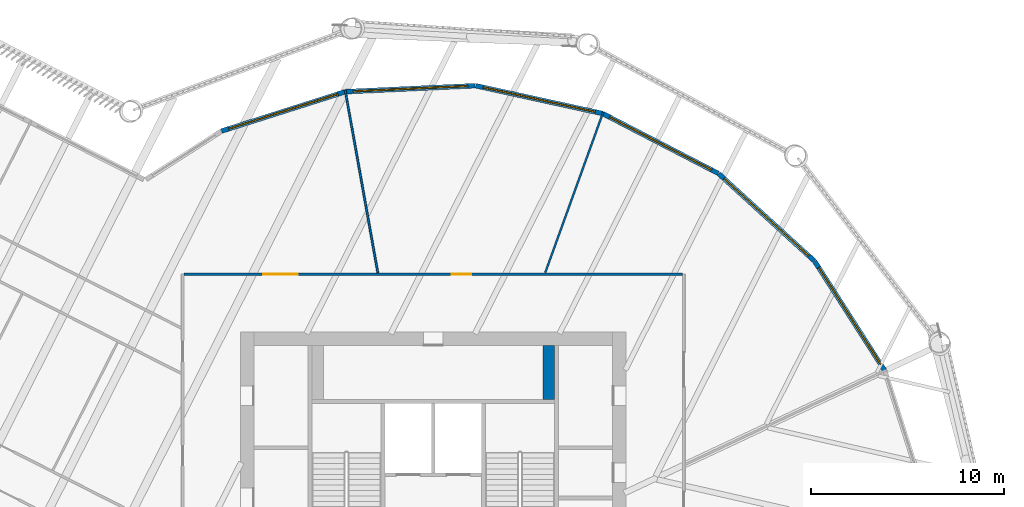
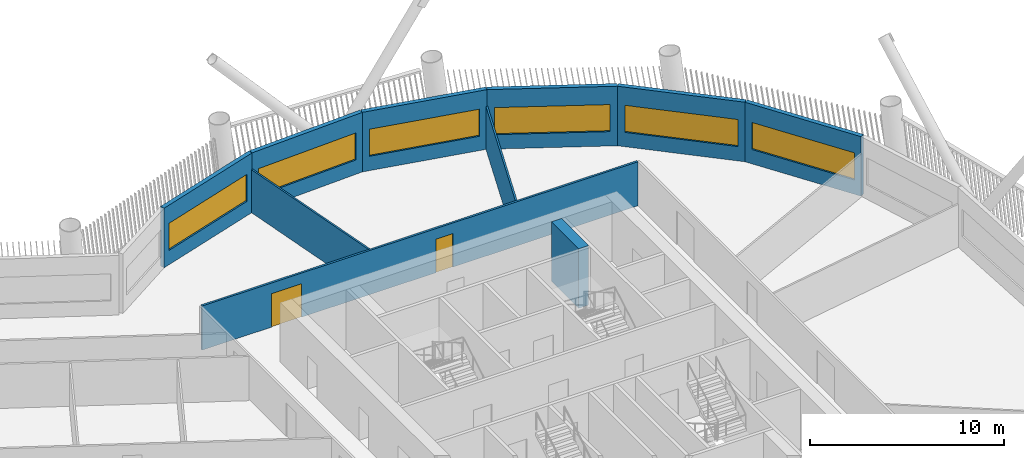
# One storey, part 7 of 21: 10 walls, 6 windows, 2 doors, 8 openings.
"""IFC4 building model written with IfcOpenShell, lengths in metres."""

from ifc_helpers import new_model, si_unit, direction, frame, frame_2d, origin, place, context, subcontext, project, spatial, rectangle, extrude, material, layer, layer_set, type_object, element, fill, save


model = new_model("IFC4")

# Units and contexts
model_context = context("Model", 3, precision=1e-05, world=origin(), true_north=direction((0.0, 1.0)))
body_context = subcontext(model_context, "Body", "Model", "MODEL_VIEW")
ifc_project = project(units=[si_unit("LENGTHUNIT", "METRE"), si_unit("AREAUNIT", "SQUARE_METRE"), si_unit("VOLUMEUNIT", "CUBIC_METRE"), si_unit("PLANEANGLEUNIT", "RADIAN"), si_unit("MASSUNIT", "GRAM", prefix="KILO")], contexts=[model_context])

# Site, building, storey
site_placement = place(None, origin())
site = spatial("IfcSite", under=ifc_project, at=site_placement, CompositionType="ELEMENT")
building_placement = place(site_placement, origin())
building = spatial("IfcBuilding", under=site, at=building_placement, Name="Tarsis Ring Headquarters", CompositionType="ELEMENT")
storey_placement = place(building_placement, frame((0.0, 0.0, 171.0)))
storey = spatial("IfcBuildingStorey", under=building, at=storey_placement, Name="L39", CompositionType="ELEMENT", Elevation=171.0)

# Walls
ifc_material_1 = material(Name="Gypsum board on steel studs", Category="steel")
ifc_layer_1 = layer(ifc_material_1, 0.10009765625)
ifc_layer_set_1 = layer_set([ifc_layer_1], Name="FL partition 100 unrated")
wall_type_1 = type_object("IfcWallType", Name="FL partition 100 unrated", PredefinedType="PARTITIONING", material=ifc_layer_set_1)
wall_1_placement = place(storey_placement, frame((-4.568115234375, 25.54248046875, 0.0), z_axis=(0.0, 0.0, 1.0), x_axis=(0.176054033102, -0.984380504393, 0.0)))
element("IfcWall", 1, at=wall_1_placement, inside=storey, type_object=wall_type_1, Name="Partition PW3", PredefinedType="PARTITIONING", context=body_context, shape_type="SweptSolid", body=[
    extrude(rectangle(XDim=9.6240234375, YDim=0.10009765625, at=frame_2d((4.81201171875, 0.0))), origin(), (0.0, 0.0, 1.0), 2.699951171875),
])
wall_2_placement = place(storey_placement, frame((5.806396484375, 16.0751953125, 0.0), z_axis=(0.0, 0.0, 1.0), x_axis=(0.33974133383, 0.9405189132, 0.0)))
element("IfcWall", 2, at=wall_2_placement, inside=storey, type_object=wall_type_1, Name="Partition PW3", PredefinedType="PARTITIONING", context=body_context, shape_type="SweptSolid", body=[
    extrude(rectangle(XDim=8.856201171875, YDim=0.10009765625, at=frame_2d((4.42822265625, 0.0))), origin(), (0.0, 0.0, 1.0), 2.699951171875),
])

# Wall, openings, doors
ifc_layer_2 = layer(ifc_material_1, 0.125)
ifc_layer_set_2 = layer_set([ifc_layer_2], Name="FL partition 125 EI 60 H2770")
wall_type_2 = type_object("IfcWallType", Name="FL partition 125 EI 60 H2770", PredefinedType="PARTITIONING", material=ifc_layer_set_2)
wall_3_placement = place(storey_placement, frame((-12.93798828125, 16.0, 0.0), z_axis=(0.0, 0.0, 1.0), x_axis=(1.0, 0.0, 0.0)))
wall_3 = element("IfcWall", 3, at=wall_3_placement, inside=storey, type_object=wall_type_2, Name="Partition PW1", PredefinedType="PARTITIONING", context=body_context, shape_type="SweptSolid", body=[
    extrude(rectangle(XDim=25.8779296875, YDim=0.125, at=frame_2d((12.93896484375, 0.0))), origin(), (0.0, 0.0, 1.0), 2.77001953125),
])
opening_1_placement = place(wall_3_placement, frame((4.108154296875, 0.0, 0.0)))
opening_1 = element("IfcOpeningElement", 4, at=opening_1_placement, cuts=wall_3, Name="Opening D39.03", PredefinedType="OPENING", context=body_context, shape_type="SweptSolid", body=[
    extrude(rectangle(XDim=1.800048828125, YDim=2.10009765625, at=frame_2d((0.89990234375, 1.050048828125))), frame((0.0, 0.072509765625, 0.0), z_axis=(0.0, -1.0, 0.0), x_axis=(1.0, 0.0, 0.0)), (0.0, 0.0, 1.0), 0.14501953125),
])
opening_2_placement = place(wall_3_placement, frame((13.89697265625, 0.0, 0.0)))
opening_2 = element("IfcOpeningElement", 5, at=opening_2_placement, cuts=wall_3, Name="Opening D39.04", PredefinedType="OPENING", context=body_context, shape_type="SweptSolid", body=[
    extrude(rectangle(XDim=1.0, YDim=2.10009765625, at=frame_2d((0.5, 1.050048828125))), frame((0.0, 0.072509765625, 0.0), z_axis=(0.0, -1.0, 0.0), x_axis=(1.0, 0.0, 0.0)), (0.0, 0.0, 1.0), 0.14501953125),
])
ifc_material_2 = material(Name="Fire-rated timber door leaf in steel frame", Category="steel")
door_type_1 = type_object("IfcDoorType", Name="FL door FD60-1000", OperationType="NOTDEFINED", PredefinedType="DOOR", material=ifc_material_2)
door_1_placement = place(opening_2_placement, origin())
door_1 = element("IfcDoor", 6, at=door_1_placement, inside=storey, type_object=door_type_1, Name="Door D39.04", OperationType="SINGLE_SWING_LEFT", OverallHeight=2.10009765625, OverallWidth=1.0, PredefinedType="DOOR", context=body_context, shape_type="SweptSolid", body=[
    extrude(rectangle(XDim=1.0, YDim=2.10009765625, at=frame_2d((0.5, 1.050048828125))), frame((0.0, 0.02490234375, 0.0), z_axis=(0.0, -1.0, 0.0), x_axis=(1.0, 0.0, 0.0)), (0.0, 0.0, 1.0), 0.050048828125),
])
fill(opening_2, door_1)
door_type_2 = type_object("IfcDoorType", Name="FL door FD60-1800", OperationType="DOUBLE_DOOR_SINGLE_SWING", PredefinedType="DOOR", material=ifc_material_2)
door_2_placement = place(opening_1_placement, origin())
door_2 = element("IfcDoor", 7, at=door_2_placement, inside=storey, type_object=door_type_2, Name="Door D39.03", OperationType="DOUBLE_DOOR_SINGLE_SWING", OverallHeight=2.10009765625, OverallWidth=1.800048828125, PredefinedType="DOOR", context=body_context, shape_type="SweptSolid", body=[
    extrude(rectangle(XDim=1.800048828125, YDim=2.10009765625, at=frame_2d((0.89990234375, 1.050048828125))), frame((0.0, 0.02490234375, 0.0), z_axis=(0.0, -1.0, 0.0), x_axis=(1.0, 0.0, 0.0)), (0.0, 0.0, 1.0), 0.050048828125),
])
fill(opening_1, door_2)

# Wall, opening, window
ifc_material_3 = material(Name="Terracotta clad insulated panel wall", Category="masonry")
ifc_layer_3 = layer(ifc_material_3, 0.25)
ifc_layer_set_3 = layer_set([ifc_layer_3], Name="Facade wall terracotta panel 250")
wall_type_3 = type_object("IfcWallType", Name="Facade wall terracotta panel 250", PredefinedType="STANDARD", material=ifc_layer_set_3)
wall_4_placement = place(storey_placement, frame((23.4140625, 11.005859375, 0.0), z_axis=(0.0, 0.0, 1.0), x_axis=(-0.539343291186, 0.842085989821, 0.0)))
wall_4 = element("IfcWall", 8, at=wall_4_placement, inside=storey, type_object=wall_type_3, Name="External wall L39-24", PredefinedType="STANDARD", context=body_context, shape_type="SweptSolid", body=[
    extrude(rectangle(XDim=6.7216796875, YDim=0.25, at=frame_2d((3.36083984375, 0.0))), origin(), (0.0, 0.0, 1.0), 3.739990234375),
])
opening_3_placement = place(wall_4_placement, frame((0.3857421875, 0.0, 0.89990234375)))
opening_3 = element("IfcOpeningElement", 9, at=opening_3_placement, cuts=wall_4, Name="Opening WN07", PredefinedType="OPENING", context=body_context, shape_type="SweptSolid", body=[
    extrude(rectangle(XDim=5.949951171875, YDim=1.699951171875, at=frame_2d((2.97509765625, 0.85009765625))), frame((0.0, 0.135009765625, 0.0), z_axis=(0.0, -1.0, 0.0), x_axis=(1.0, 0.0, 0.0)), (0.0, 0.0, 1.0), 0.27001953125),
])
ifc_material_4 = material(Name="Aluminium framed double glazing", Category="aluminium")
window_type = type_object("IfcWindowType", Name="Facade window 5950 x 1700", PartitioningType="SINGLE_PANEL", PredefinedType="WINDOW", material=ifc_material_4)
window_1_placement = place(opening_3_placement, origin())
window_1 = element("IfcWindow", 10, at=window_1_placement, inside=storey, type_object=window_type, Name="Window L39-24.1", OverallHeight=1.699951171875, OverallWidth=5.949951171875, PartitioningType="SINGLE_PANEL", PredefinedType="WINDOW", context=body_context, shape_type="SweptSolid", body=[
    extrude(rectangle(XDim=5.949951171875, YDim=1.699951171875, at=frame_2d((2.97509765625, 0.85009765625))), frame((0.0, 0.030029296875, 0.0), z_axis=(0.0, -1.0, 0.0), x_axis=(1.0, 0.0, 0.0)), (0.0, 0.0, 1.0), 0.06005859375),
])
fill(opening_3, window_1)

wall_5_placement = place(storey_placement, frame((19.767822265625, 16.69091796875, 0.0), z_axis=(0.0, 0.0, 1.0), x_axis=(-0.73893669602, 0.673774858001, 0.0)))
wall_5 = element("IfcWall", 11, at=wall_5_placement, inside=storey, type_object=wall_type_3, Name="External wall L39-25", PredefinedType="STANDARD", context=body_context, shape_type="SweptSolid", body=[
    extrude(rectangle(XDim=6.721435546875, YDim=0.25, at=frame_2d((3.36083984375, 0.0))), origin(), (0.0, 0.0, 1.0), 3.739990234375),
])
opening_4_placement = place(wall_5_placement, frame((0.3857421875, 0.0, 0.89990234375)))
opening_4 = element("IfcOpeningElement", 12, at=opening_4_placement, cuts=wall_5, Name="Opening WN07", PredefinedType="OPENING", context=body_context, shape_type="SweptSolid", body=[
    extrude(rectangle(XDim=5.949951171875, YDim=1.699951171875, at=frame_2d((2.97509765625, 0.85009765625))), frame((0.0, 0.135009765625, 0.0), z_axis=(0.0, -1.0, 0.0), x_axis=(1.0, 0.0, 0.0)), (0.0, 0.0, 1.0), 0.27001953125),
])
window_2_placement = place(opening_4_placement, origin())
window_2 = element("IfcWindow", 13, at=window_2_placement, inside=storey, type_object=window_type, Name="Window L39-25.1", OverallHeight=1.699951171875, OverallWidth=5.949951171875, PartitioningType="SINGLE_PANEL", PredefinedType="WINDOW", context=body_context, shape_type="SweptSolid", body=[
    extrude(rectangle(XDim=5.949951171875, YDim=1.699951171875, at=frame_2d((2.97509765625, 0.85009765625))), frame((0.0, 0.030029296875, 0.0), z_axis=(0.0, -1.0, 0.0), x_axis=(1.0, 0.0, 0.0)), (0.0, 0.0, 1.0), 0.06005859375),
])
fill(opening_4, window_2)

wall_6_placement = place(storey_placement, frame((14.774169921875, 21.238525390625, 0.0), z_axis=(0.0, 0.0, 1.0), x_axis=(-0.888129716086, 0.45959287136, 0.0)))
wall_6 = element("IfcWall", 14, at=wall_6_placement, inside=storey, type_object=wall_type_3, Name="External wall L39-26", PredefinedType="STANDARD", context=body_context, shape_type="SweptSolid", body=[
    extrude(rectangle(XDim=6.721435546875, YDim=0.25, at=frame_2d((3.36083984375, 0.0))), origin(), (0.0, 0.0, 1.0), 3.739990234375),
])
opening_5_placement = place(wall_6_placement, frame((0.3857421875, 0.0, 0.89990234375)))
opening_5 = element("IfcOpeningElement", 15, at=opening_5_placement, cuts=wall_6, Name="Opening WN07", PredefinedType="OPENING", context=body_context, shape_type="SweptSolid", body=[
    extrude(rectangle(XDim=5.949951171875, YDim=1.699951171875, at=frame_2d((2.97509765625, 0.85009765625))), frame((0.0, 0.135009765625, 0.0), z_axis=(0.0, -1.0, 0.0), x_axis=(1.0, 0.0, 0.0)), (0.0, 0.0, 1.0), 0.27001953125),
])
window_3_placement = place(opening_5_placement, origin())
window_3 = element("IfcWindow", 16, at=window_3_placement, inside=storey, type_object=window_type, Name="Window L39-26.1", OverallHeight=1.699951171875, OverallWidth=5.949951171875, PartitioningType="SINGLE_PANEL", PredefinedType="WINDOW", context=body_context, shape_type="SweptSolid", body=[
    extrude(rectangle(XDim=5.949951171875, YDim=1.699951171875, at=frame_2d((2.97509765625, 0.85009765625))), frame((0.0, 0.030029296875, 0.0), z_axis=(0.0, -1.0, 0.0), x_axis=(1.0, 0.0, 0.0)), (0.0, 0.0, 1.0), 0.06005859375),
])
fill(opening_5, window_3)

wall_7_placement = place(storey_placement, frame((8.77392578125, 24.338623046875, 0.0), z_axis=(0.0, 0.0, 1.0), x_axis=(-0.976822941982, 0.214048919685, 0.0)))
wall_7 = element("IfcWall", 17, at=wall_7_placement, inside=storey, type_object=wall_type_3, Name="External wall L39-27", PredefinedType="STANDARD", context=body_context, shape_type="SweptSolid", body=[
    extrude(rectangle(XDim=6.721435546875, YDim=0.25, at=frame_2d((3.36083984375, 0.0))), origin(), (0.0, 0.0, 1.0), 3.739990234375),
])
opening_6_placement = place(wall_7_placement, frame((0.3857421875, 0.0, 0.89990234375)))
opening_6 = element("IfcOpeningElement", 18, at=opening_6_placement, cuts=wall_7, Name="Opening WN07", PredefinedType="OPENING", context=body_context, shape_type="SweptSolid", body=[
    extrude(rectangle(XDim=5.949951171875, YDim=1.699951171875, at=frame_2d((2.97509765625, 0.85009765625))), frame((0.0, 0.135009765625, 0.0), z_axis=(0.0, -1.0, 0.0), x_axis=(1.0, 0.0, 0.0)), (0.0, 0.0, 1.0), 0.27001953125),
])
window_4_placement = place(opening_6_placement, origin())
window_4 = element("IfcWindow", 19, at=window_4_placement, inside=storey, type_object=window_type, Name="Window L39-27.1", OverallHeight=1.699951171875, OverallWidth=5.949951171875, PartitioningType="SINGLE_PANEL", PredefinedType="WINDOW", context=body_context, shape_type="SweptSolid", body=[
    extrude(rectangle(XDim=5.949951171875, YDim=1.699951171875, at=frame_2d((2.97509765625, 0.85009765625))), frame((0.0, 0.030029296875, 0.0), z_axis=(0.0, -1.0, 0.0), x_axis=(1.0, 0.0, 0.0)), (0.0, 0.0, 1.0), 0.06005859375),
])
fill(opening_6, window_4)

wall_8_placement = place(storey_placement, frame((2.175537109375, 25.780029296875, 0.0), z_axis=(0.0, 0.0, 1.0), x_axis=(-0.998938822014, -0.046056811371, 0.0)))
wall_8 = element("IfcWall", 20, at=wall_8_placement, inside=storey, type_object=wall_type_3, Name="External wall L39-28", PredefinedType="STANDARD", context=body_context, shape_type="SweptSolid", body=[
    extrude(rectangle(XDim=6.721435546875, YDim=0.25, at=frame_2d((3.36083984375, 0.0))), origin(), (0.0, 0.0, 1.0), 3.739990234375),
])
opening_7_placement = place(wall_8_placement, frame((0.3857421875, 0.0, 0.89990234375)))
opening_7 = element("IfcOpeningElement", 21, at=opening_7_placement, cuts=wall_8, Name="Opening WN07", PredefinedType="OPENING", context=body_context, shape_type="SweptSolid", body=[
    extrude(rectangle(XDim=5.949951171875, YDim=1.699951171875, at=frame_2d((2.97509765625, 0.85009765625))), frame((0.0, 0.135009765625, 0.0), z_axis=(0.0, -1.0, 0.0), x_axis=(1.0, 0.0, 0.0)), (0.0, 0.0, 1.0), 0.27001953125),
])
window_5_placement = place(opening_7_placement, origin())
window_5 = element("IfcWindow", 22, at=window_5_placement, inside=storey, type_object=window_type, Name="Window L39-28.1", OverallHeight=1.699951171875, OverallWidth=5.949951171875, PartitioningType="SINGLE_PANEL", PredefinedType="WINDOW", context=body_context, shape_type="SweptSolid", body=[
    extrude(rectangle(XDim=5.949951171875, YDim=1.699951171875, at=frame_2d((2.97509765625, 0.85009765625))), frame((0.0, 0.030029296875, 0.0), z_axis=(0.0, -1.0, 0.0), x_axis=(1.0, 0.0, 0.0)), (0.0, 0.0, 1.0), 0.06005859375),
])
fill(opening_7, window_5)

wall_9_placement = place(storey_placement, frame((-4.57080078125, 25.46484375, 0.0), z_axis=(0.0, 0.0, 1.0), x_axis=(-0.952979668674, -0.303034240795, 0.0)))
wall_9 = element("IfcWall", 23, at=wall_9_placement, inside=storey, type_object=wall_type_3, Name="External wall L39-29", PredefinedType="STANDARD", context=body_context, shape_type="SweptSolid", body=[
    extrude(rectangle(XDim=6.7216796875, YDim=0.25, at=frame_2d((3.36083984375, 0.0))), origin(), (0.0, 0.0, 1.0), 3.739990234375),
])
opening_8_placement = place(wall_9_placement, frame((0.3857421875, 0.0, 0.89990234375)))
opening_8 = element("IfcOpeningElement", 24, at=opening_8_placement, cuts=wall_9, Name="Opening WN07", PredefinedType="OPENING", context=body_context, shape_type="SweptSolid", body=[
    extrude(rectangle(XDim=5.949951171875, YDim=1.699951171875, at=frame_2d((2.97509765625, 0.85009765625))), frame((0.0, 0.135009765625, 0.0), z_axis=(0.0, -1.0, 0.0), x_axis=(1.0, 0.0, 0.0)), (0.0, 0.0, 1.0), 0.27001953125),
])
window_6_placement = place(opening_8_placement, origin())
window_6 = element("IfcWindow", 25, at=window_6_placement, inside=storey, type_object=window_type, Name="Window L39-29.1", OverallHeight=1.699951171875, OverallWidth=5.949951171875, PartitioningType="SINGLE_PANEL", PredefinedType="WINDOW", context=body_context, shape_type="SweptSolid", body=[
    extrude(rectangle(XDim=5.949951171875, YDim=1.699951171875, at=frame_2d((2.97509765625, 0.85009765625))), frame((0.0, 0.030029296875, 0.0), z_axis=(0.0, -1.0, 0.0), x_axis=(1.0, 0.0, 0.0)), (0.0, 0.0, 1.0), 0.06005859375),
])
fill(opening_8, window_6)

# Wall
ifc_material_5 = material(Name="Concrete C32/40", Category="concrete")
ifc_layer_4 = layer(ifc_material_5, 0.60009765625)
ifc_layer_set_4 = layer_set([ifc_layer_4], Name="Shaft end wall 600 C32/40")
wall_type_4 = type_object("IfcWallType", Name="Shaft end wall 600 C32/40", PredefinedType="SOLIDWALL", material=ifc_layer_set_4)
wall_10_placement = place(storey_placement, frame((6.0, 9.5, 0.0), z_axis=(0.0, 0.0, 1.0), x_axis=(0.0, 1.0, 0.0)))
element("IfcWall", 26, at=wall_10_placement, inside=storey, type_object=wall_type_4, Name="Core shaft wall NNE2", PredefinedType="SOLIDWALL", context=body_context, shape_type="SweptSolid", body=[
    extrude(rectangle(XDim=2.800048828125, YDim=0.60009765625, at=frame_2d((1.39990234375, 0.0))), origin(), (0.0, 0.0, 1.0), 3.739990234375),
])

save(model, "model.ifc")
